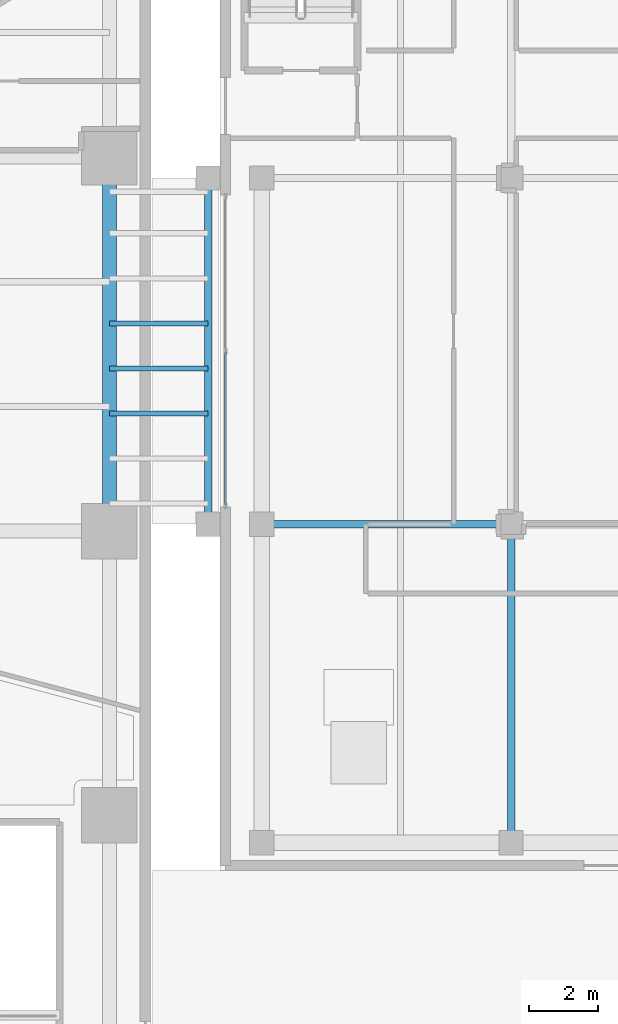
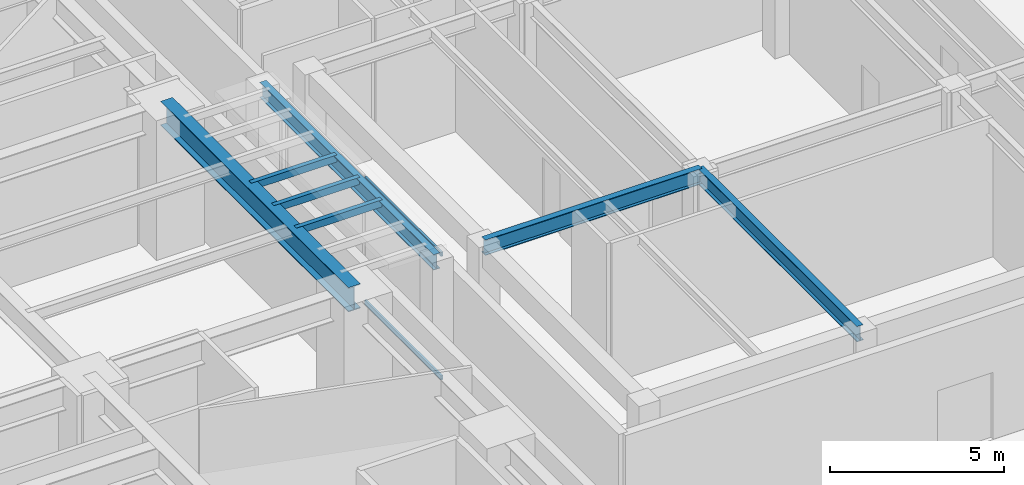
# One storey, part 8 of 28: 5 members, 4 beams, 1 element without a shape of its own.
"""IFC4 building model written with IfcOpenShell, lengths in metres."""

from ifc_helpers import new_model, si_unit, direction, frame, origin, origin_2d, place, context, subcontext, project, spatial, hollow_rectangle, i_section, extrude, source, transform, mapped, material, layer, layer_set, material_profile, profile_set, type_object, type_shapes, element, aggregate, save


model = new_model("IFC4")

# Units and contexts
model_context = context("Model", 3, precision=1e-05, world=origin(), true_north=direction((0.0, 1.0)))
body_context = subcontext(model_context, "Body", "Model", "MODEL_VIEW")
ifc_project = project(units=[si_unit("LENGTHUNIT", "METRE"), si_unit("AREAUNIT", "SQUARE_METRE"), si_unit("VOLUMEUNIT", "CUBIC_METRE"), si_unit("PLANEANGLEUNIT", "RADIAN"), si_unit("MASSUNIT", "GRAM", prefix="KILO")], contexts=[model_context])

# Site, building, storey
site_placement = place(None, origin())
site = spatial("IfcSite", under=ifc_project, at=site_placement, CompositionType="ELEMENT")
building_placement = place(site_placement, origin())
building = spatial("IfcBuilding", under=site, at=building_placement, Name="Talar Marvaseh", CompositionType="ELEMENT")
storey_placement = place(building_placement, origin())
storey = spatial("IfcBuildingStorey", under=building, at=storey_placement, Name="L00", CompositionType="ELEMENT", Elevation=0.0)

# Beams
ifc_material_1 = material(Name="Steel S355", Category="steel")
ifc_material_profile_1 = material_profile(ifc_material_1, i_section(OverallWidth=0.39990234375, OverallDepth=0.85498046875, WebThickness=0.018310546875, FlangeThickness=0.029296875, at=origin_2d()), Name="W840x299")
ifc_profile_set_1 = profile_set([ifc_material_profile_1], Name="Steel S355")
beam_type_1 = type_object("IfcBeamType", Name="Concourse Primary Girder W840x299", PredefinedType="BEAM", material=ifc_profile_set_1)
beam_1_placement = place(storey_placement, frame((50.800048828125, 25.800048828125, 4.472412109375), z_axis=(0.0, 1.0, 0.0), x_axis=(-1.0, 0.0, 0.0)))
element("IfcBeam", 1, at=beam_1_placement, inside=storey, type_object=beam_type_1, Name="L00 Concourse Primary Girder W840x299", PredefinedType="BEAM", context=body_context, shape_type="SweptSolid", body=[
    extrude(i_section(OverallWidth=0.39990234375, OverallDepth=0.85498046875, WebThickness=0.018310546875, FlangeThickness=0.029296875, at=origin_2d()), origin(), (0.0, 0.0, 1.0), 10.800048828125),
])
ifc_material_profile_2 = material_profile(ifc_material_1, i_section(OverallWidth=0.2119140625, OverallDepth=0.5439453125, WebThickness=0.01318359375, FlangeThickness=0.021240234375, at=origin_2d()), Name="W530x123")
ifc_profile_set_2 = profile_set([ifc_material_profile_2], Name="Steel S355")
beam_type_2 = type_object("IfcBeamType", Name="Market Hall Primary Girder W530x123", PredefinedType="BEAM", material=ifc_profile_set_2)
beam_2_placement = place(storey_placement, frame((55.199951171875, 26.0, 4.6279296875), z_axis=(1.0, 0.0, 0.0), x_axis=(0.0, 1.0, 0.0)))
element("IfcBeam", 2, at=beam_2_placement, inside=storey, type_object=beam_type_2, Name="L00 Market Hall Primary Girder W530x123", PredefinedType="BEAM", context=body_context, shape_type="SweptSolid", body=[
    extrude(i_section(OverallWidth=0.2119140625, OverallDepth=0.5439453125, WebThickness=0.01318359375, FlangeThickness=0.021240234375, at=origin_2d()), origin(), (0.0, 0.0, 1.0), 7.199951171875),
])
beam_3_placement = place(storey_placement, frame((62.39990234375, 16.800048828125, 4.6279296875), z_axis=(0.0, 1.0, 0.0), x_axis=(-1.0, 0.0, 0.0)))
element("IfcBeam", 3, at=beam_3_placement, inside=storey, type_object=beam_type_2, Name="L00 Market Hall Primary Girder W530x123", PredefinedType="BEAM", context=body_context, shape_type="SweptSolid", body=[
    extrude(i_section(OverallWidth=0.2119140625, OverallDepth=0.5439453125, WebThickness=0.01318359375, FlangeThickness=0.021240234375, at=origin_2d()), origin(), (0.0, 0.0, 1.0), 9.199951171875),
])
beam_4_placement = place(storey_placement, frame((53.64990234375, 26.0, 4.6279296875), z_axis=(0.0, 1.0, 0.0), x_axis=(-1.0, 0.0, 0.0)))
element("IfcBeam", 4, at=beam_4_placement, inside=storey, type_object=beam_type_2, Name="L00 Market Hall Primary Girder W530x123", PredefinedType="BEAM", context=body_context, shape_type="SweptSolid", body=[
    extrude(i_section(OverallWidth=0.2119140625, OverallDepth=0.5439453125, WebThickness=0.01318359375, FlangeThickness=0.021240234375, at=origin_2d()), origin(), (0.0, 0.0, 1.0), 10.0),
])

# Members
ifc_material_profile_3 = material_profile(ifc_material_1, hollow_rectangle(XDim=0.14990234375, YDim=0.25, WallThickness=0.010009765625, at=origin_2d()), Name="RHS250x150x10")
ifc_profile_set_3 = profile_set([ifc_material_profile_3], Name="Steel S355")
member_type_1 = type_object("IfcMemberType", Name="Movement Joint PTFE Elastomeric Sliding Bearing", PredefinedType="USERDEFINED", material=ifc_profile_set_3)
shared_shape_1 = source(origin(), body_context, "Body", "SweptSolid", [
    extrude(hollow_rectangle(XDim=0.14990234375, YDim=0.25, WallThickness=0.010009765625, at=origin_2d()), origin(), (0.0, 0.0, 1.0), 2.849853515625),
])
type_shapes(member_type_1, [shared_shape_1])
for number, where, z_axis, x_axis, name in (
    (5, (50.800048828125, 29.199951171875, 4.780029296875), (1.0, 0.0, 0.0), (0.0, 1.0, 0.0), "L00 Movement Joint PTFE Sliding Bearing 3"),
    (6, (50.800048828125, 30.5, 4.780029296875), (1.0, 0.0, 0.0), (0.0, 1.0, 0.0), "L00 Movement Joint PTFE Sliding Bearing 4"),
    (7, (50.800048828125, 31.800048828125, 4.780029296875), (1.0, 0.0, 0.0), (0.0, 1.0, 0.0), "L00 Movement Joint PTFE Sliding Bearing 5"),
):
    element("IfcMember", number, at=place(storey_placement, frame(where, z_axis=z_axis, x_axis=x_axis)), inside=storey, type_object=member_type_1, Name=name, ObjectType="BEARING", PredefinedType="USERDEFINED", context=body_context, shape_type="MappedRepresentation", body=[
        mapped(shared_shape_1, transform((0.0, 0.0, 0.0), x_axis=(1.0, 0.0, 0.0), y_axis=(0.0, 1.0, 0.0), z_axis=(0.0, 0.0, 1.0), scale=1.0)),
    ])

# Curtain wall, members
ifc_material_2 = material(Name="Architectural Aluminium", Category="aluminium")
ifc_layer = layer(ifc_material_2, 0.169921875)
ifc_layer_set = layer_set([ifc_layer], Name="Architectural Aluminium")
curtain_wall_type = type_object("IfcCurtainWallType", Name="Market Hall Clerestory and Courtyard Curtain Wall", PredefinedType="NOTDEFINED", material=ifc_layer_set)
curtain_wall_placement = place(storey_placement, origin())
curtain_wall = element("IfcCurtainWall", 8, at=curtain_wall_placement, inside=storey, type_object=curtain_wall_type, Name="L00 Market Hall Clerestory and Courtyard Curtain Wall", PredefinedType="NOTDEFINED")
ifc_material_profile_4 = material_profile(ifc_material_2, hollow_rectangle(XDim=0.06494140625, YDim=0.14990234375, WallThickness=0.00390625, at=origin_2d()), Name="RHS150x65x4")
ifc_profile_set_4 = profile_set([ifc_material_profile_4], Name="Architectural Aluminium")
member_type_2 = type_object("IfcMemberType", Name="Unitised Curtain Wall Slim Transom RHS150x65x4", PredefinedType="USERDEFINED", material=ifc_profile_set_4)
shared_shape_2 = source(origin(), body_context, "Body", "SweptSolid", [
    extrude(hollow_rectangle(XDim=0.06494140625, YDim=0.14990234375, WallThickness=0.00390625, at=origin_2d()), origin(), (0.0, 0.0, 1.0), 4.402587890625),
])
type_shapes(member_type_2, [shared_shape_2])
member_1_placement = place(storey_placement, frame((54.14990234375, 26.56494140625, 0.032470703125), z_axis=(0.0, 1.0, 0.0), x_axis=(-1.0, 0.0, 0.0)))
member_1 = element("IfcMember", 9, at=member_1_placement, type_object=member_type_2, Name="CW-MKT transom 1.1", ObjectType="TRANSOM", PredefinedType="USERDEFINED", context=body_context, shape_type="MappedRepresentation", body=[
    mapped(shared_shape_2, transform((0.0, 0.0, 0.0), x_axis=(1.0, 0.0, 0.0), y_axis=(0.0, 1.0, 0.0), z_axis=(0.0, 0.0, 1.0), scale=1.0)),
])
member_2_placement = place(storey_placement, frame((54.14990234375, 26.56494140625, 4.367431640625), z_axis=(0.0, 1.0, 0.0), x_axis=(-1.0, 0.0, 0.0)))
member_2 = element("IfcMember", 10, at=member_2_placement, type_object=member_type_2, Name="CW-MKT transom 1.2", ObjectType="TRANSOM", PredefinedType="USERDEFINED", context=body_context, shape_type="MappedRepresentation", body=[
    mapped(shared_shape_2, transform((0.0, 0.0, 0.0), x_axis=(1.0, 0.0, 0.0), y_axis=(0.0, 1.0, 0.0), z_axis=(0.0, 0.0, 1.0), scale=1.0)),
])
aggregate(curtain_wall, [member_1, member_2])

save(model, "model.ifc")
